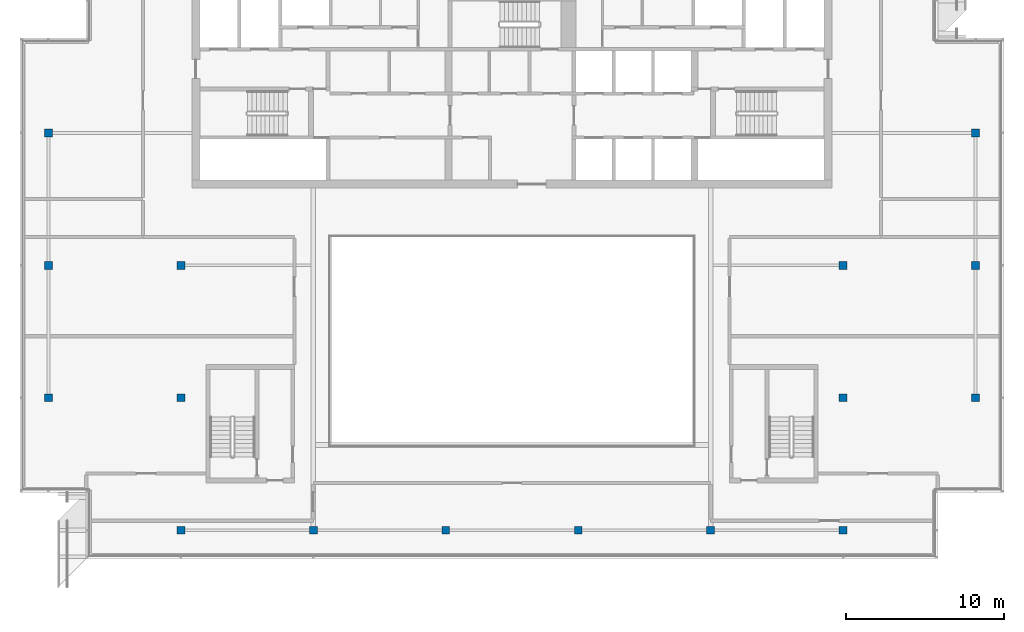
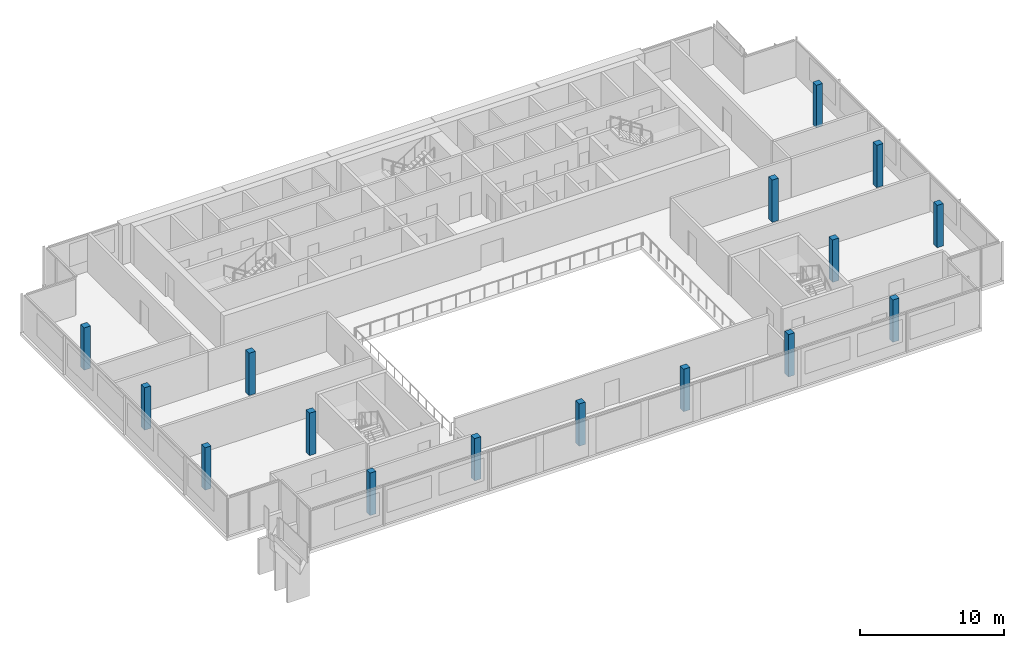
# One storey, part 1 of 19: 16 columns.
"""IFC4 building model written with IfcOpenShell, lengths in metres."""

from ifc_helpers import new_model, si_unit, direction, frame, origin, origin_2d, place, context, subcontext, project, spatial, rectangle, extrude, material, material_profile, profile_set, type_object, element, save


model = new_model("IFC4")

# Units and contexts
model_context = context("Model", 3, precision=1e-05, world=origin(), true_north=direction((0.0, 1.0)))
body_context = subcontext(model_context, "Body", "Model", "MODEL_VIEW")
ifc_project = project(units=[si_unit("LENGTHUNIT", "METRE"), si_unit("AREAUNIT", "SQUARE_METRE"), si_unit("VOLUMEUNIT", "CUBIC_METRE"), si_unit("PLANEANGLEUNIT", "RADIAN"), si_unit("MASSUNIT", "GRAM", prefix="KILO")], contexts=[model_context])

# Site, building, storey
site_placement = place(None, origin())
site = spatial("IfcSite", under=ifc_project, at=site_placement, CompositionType="ELEMENT")
building_placement = place(site_placement, origin())
building = spatial("IfcBuilding", under=site, at=building_placement, Name="Saffron Gate Tower", CompositionType="ELEMENT")
storey_placement = place(building_placement, frame((0.0, 0.0, 306.75)))
storey = spatial("IfcBuildingStorey", under=building, at=storey_placement, Name="L75", CompositionType="ELEMENT", Elevation=306.75)

# Columns
ifc_material = material(Name="Concrete C40", Category="concrete")
ifc_material_profile = material_profile(ifc_material, rectangle(XDim=0.5, YDim=0.5, at=origin_2d()))
ifc_profile_set = profile_set([ifc_material_profile], Name="Concrete C40")
column_type = type_object("IfcColumnType", Name="C1 RC 500x500 CONCRETE C40", PredefinedType="COLUMN", material=ifc_profile_set)
for number, where, z_axis, x_axis, name in (
    (1, (58.199951171875, 48.60009765625, 0.0), (0.0, 0.0, 1.0), (1.0, 0.0, 0.0), "C1 COLUMN X2-C"),
    (2, (58.199951171875, 57.0, 0.0), (0.0, 0.0, 1.0), (1.0, 0.0, 0.0), "C1 COLUMN X2-D"),
    (3, (58.199951171875, 65.39990234375, 0.0), (0.0, 0.0, 1.0), (1.0, 0.0, 0.0), "C1 COLUMN X2-E"),
    (4, (66.60009765625, 40.199951171875, 0.0), (0.0, 0.0, 1.0), (1.0, 0.0, 0.0), "C1 COLUMN X3-B"),
    (5, (66.60009765625, 48.60009765625, 0.0), (0.0, 0.0, 1.0), (1.0, 0.0, 0.0), "C1 COLUMN X3-C"),
    (6, (66.60009765625, 57.0, 0.0), (0.0, 0.0, 1.0), (1.0, 0.0, 0.0), "C1 COLUMN X3-D"),
    (7, (75.0, 40.199951171875, 0.0), (0.0, 0.0, 1.0), (1.0, 0.0, 0.0), "C1 COLUMN X4-B"),
    (8, (83.39990234375, 40.199951171875, 0.0), (0.0, 0.0, 1.0), (1.0, 0.0, 0.0), "C1 COLUMN X5-B"),
    (9, (91.800048828125, 40.199951171875, 0.0), (0.0, 0.0, 1.0), (1.0, 0.0, 0.0), "C1 COLUMN X6-B"),
    (10, (100.199951171875, 40.199951171875, 0.0), (0.0, 0.0, 1.0), (1.0, 0.0, 0.0), "C1 COLUMN X7-B"),
    (11, (108.60009765625, 40.199951171875, 0.0), (0.0, 0.0, 1.0), (1.0, 0.0, 0.0), "C1 COLUMN X8-B"),
    (12, (108.60009765625, 48.60009765625, 0.0), (0.0, 0.0, 1.0), (1.0, 0.0, 0.0), "C1 COLUMN X8-C"),
    (13, (108.60009765625, 57.0, 0.0), (0.0, 0.0, 1.0), (1.0, 0.0, 0.0), "C1 COLUMN X8-D"),
    (14, (117.0, 48.60009765625, 0.0), (0.0, 0.0, 1.0), (1.0, 0.0, 0.0), "C1 COLUMN X9-C"),
    (15, (117.0, 57.0, 0.0), (0.0, 0.0, 1.0), (1.0, 0.0, 0.0), "C1 COLUMN X9-D"),
    (16, (117.0, 65.39990234375, 0.0), (0.0, 0.0, 1.0), (1.0, 0.0, 0.0), "C1 COLUMN X9-E"),
):
    element("IfcColumn", number, at=place(storey_placement, frame(where, z_axis=z_axis, x_axis=x_axis)), inside=storey, type_object=column_type, Name=name, PredefinedType="COLUMN", context=body_context, shape_type="SweptSolid", body=[
        extrude(rectangle(XDim=0.5, YDim=0.5, at=origin_2d()), origin(), (0.0, 0.0, 1.0), 3.60009765625),
    ])

save(model, "model.ifc")
